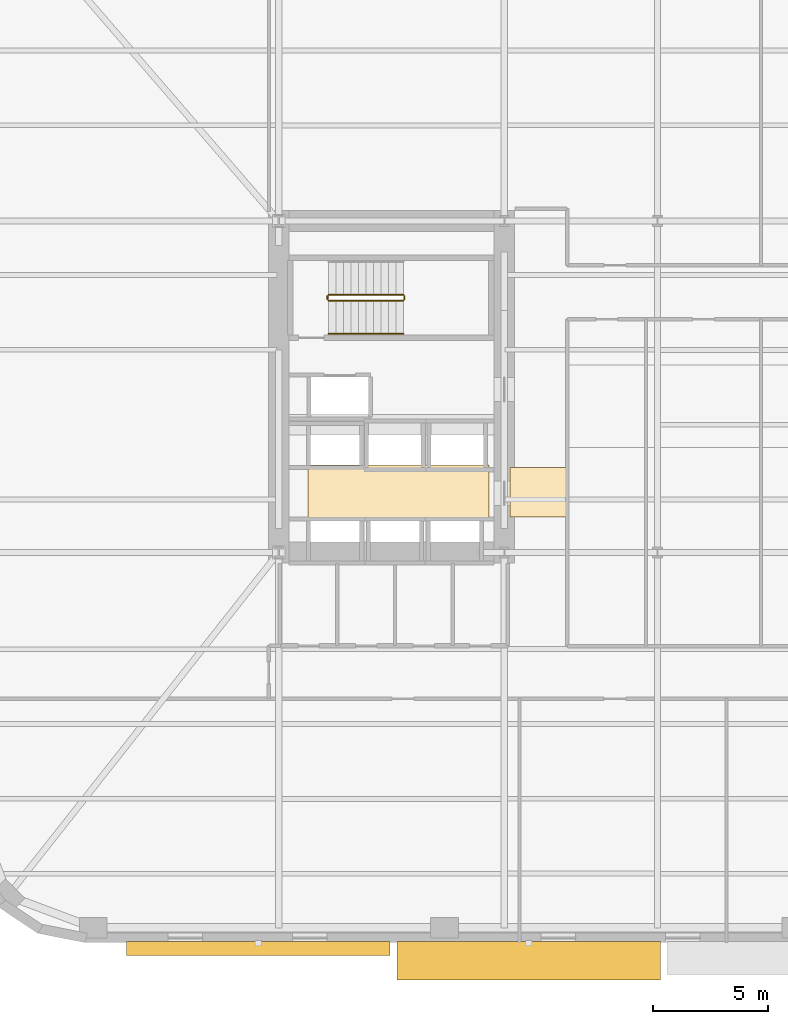
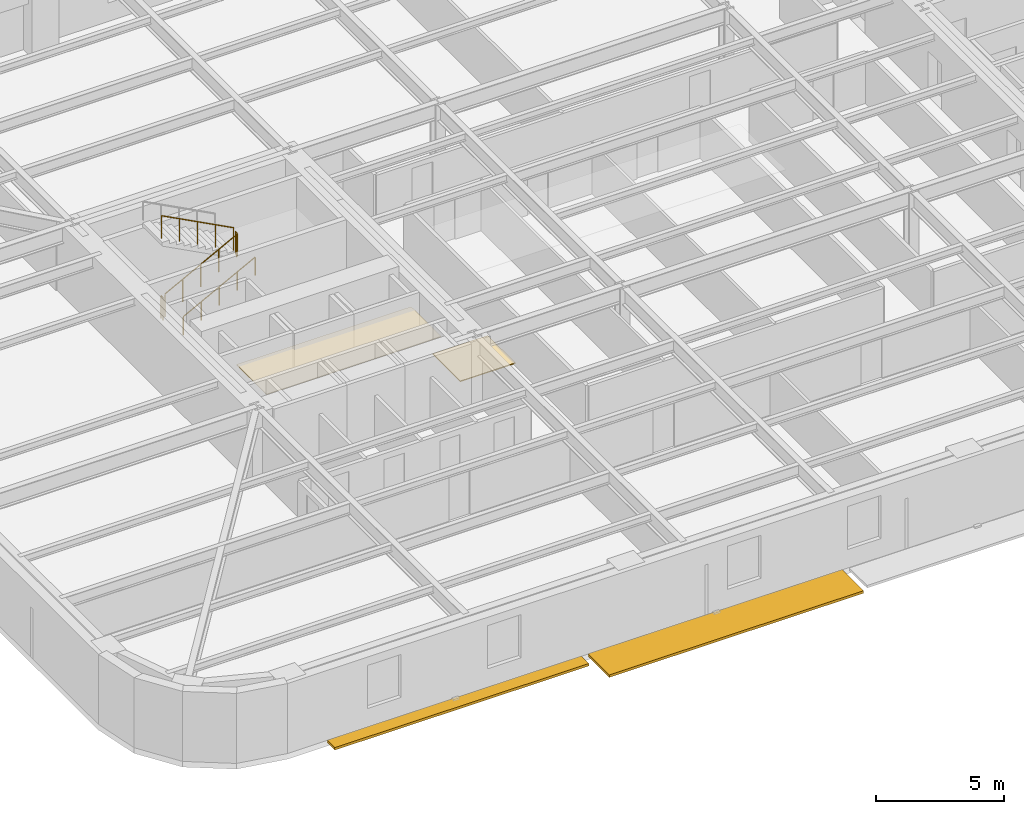
# One storey, part 9 of 14: 5 railings, 2 coverings, 2 shading devices.
"""IFC4 building model written with IfcOpenShell, lengths in metres."""

from ifc_helpers import new_model, si_unit, direction, frame, origin, origin_2d, place, context, subcontext, project, spatial, polyline, rectangle, circle, outline, extrude, material, layer, layer_set, type_object, element, save


model = new_model("IFC4")

# Units and contexts
model_context = context("Model", 3, precision=1e-05, world=origin(), true_north=direction((0.0, 1.0)))
body_context = subcontext(model_context, "Body", "Model", "MODEL_VIEW")
ifc_project = project(units=[si_unit("LENGTHUNIT", "METRE"), si_unit("AREAUNIT", "SQUARE_METRE"), si_unit("VOLUMEUNIT", "CUBIC_METRE"), si_unit("PLANEANGLEUNIT", "RADIAN"), si_unit("MASSUNIT", "GRAM", prefix="KILO")], contexts=[model_context])

# Site, building, storey
site_placement = place(None, origin())
site = spatial("IfcSite", under=ifc_project, at=site_placement, CompositionType="ELEMENT")
building_placement = place(site_placement, origin())
building = spatial("IfcBuilding", under=site, at=building_placement, Name="Kolvaren Arena Tower", CompositionType="ELEMENT")
storey_placement = place(building_placement, frame((0.0, 0.0, 90.75)))
storey = spatial("IfcBuildingStorey", under=building, at=storey_placement, Name="L20", CompositionType="ELEMENT", Elevation=90.75)

# Coverings
ifc_material_1 = material(Name="Moisture-resistant gypsum ceiling", Category="gypsum")
ifc_layer_1 = layer(ifc_material_1, 0.030029296875)
ifc_layer_set_1 = layer_set([ifc_layer_1], Name="Moisture-resistant gypsum ceiling")
covering_type_1 = type_object("IfcCoveringType", Name="CEIL-GYP-1", PredefinedType="CEILING", material=ifc_layer_set_1)
covering_1_placement = place(storey_placement, frame((0.0, 0.0, 2.52001953125)))
element("IfcCovering", 1, at=covering_1_placement, inside=storey, type_object=covering_type_1, Name="Suspended Ceiling (L20)", PredefinedType="CEILING", context=body_context, shape_type="SweptSolid", body=[
    extrude(outline(polyline([(15.820068359375, 20.89990234375), (15.820068359375, 23.239990234375), (23.679931640625, 23.239990234375), (23.679931640625, 20.89990234375), (15.820068359375, 20.89990234375)])), origin(), (0.0, 0.0, 1.0), 0.030029296875),
])
ifc_material_2 = material(Name="Raised access office floor finish", Category="aluminium")
ifc_layer_2 = layer(ifc_material_2, 0.044921875)
ifc_layer_set_2 = layer_set([ifc_layer_2], Name="Raised access office floor finish")
covering_type_2 = type_object("IfcCoveringType", Name="FLOR-RAF-1", PredefinedType="FLOORING", material=ifc_layer_set_2)
covering_2_placement = place(storey_placement, origin())
element("IfcCovering", 2, at=covering_2_placement, inside=storey, type_object=covering_type_2, Name="Floor Finish (L20)", PredefinedType="FLOORING", context=body_context, shape_type="SweptSolid", body=[
    extrude(outline(polyline([(24.60009765625, 21.0), (24.60009765625, 23.14990234375), (27.080078125, 23.14990234375), (27.080078125, 21.0), (24.60009765625, 21.0)])), origin(), (0.0, 0.0, 1.0), 0.044921875),
])

# Railings
ifc_material_3 = material(Name="Painted galvanized steel", Category="steel")
railing_type_1 = type_object("IfcRailingType", Name="GUARD-ST-110", PredefinedType="GUARDRAIL", material=ifc_material_3)
railing_1_placement = place(storey_placement, frame((16.719970703125, 30.389892578125, 0.17041015625)))
element("IfcRailing", 3, at=railing_1_placement, inside=storey, type_object=railing_type_1, Name="L20 ST-W1 stair guard 1", PredefinedType="GUARDRAIL", context=body_context, shape_type="SweptSolid", body=[
    extrude(circle(Radius=0.02392578125, at=origin_2d()), frame((0.0, 0.0, 1.076171875), z_axis=(0.884993431791, 0.0, 0.465603506952), x_axis=(0.0, 1.0, 0.0)), (0.0, 0.0, 1.0), 3.6611328125),
    extrude(circle(Radius=0.02099609375, at=origin_2d()), origin(), (0.0, 0.0, 1.0), 1.052001953125),
    extrude(circle(Radius=0.02099609375, at=origin_2d()), frame((0.81005859375, 0.0, 0.42626953125)), (0.0, 0.0, 1.0), 1.052001953125),
    extrude(circle(Radius=0.02099609375, at=origin_2d()), frame((1.6201171875, 0.0, 0.852294921875)), (0.0, 0.0, 1.0), 1.052001953125),
    extrude(circle(Radius=0.02099609375, at=origin_2d()), frame((2.429931640625, 0.0, 1.2783203125)), (0.0, 0.0, 1.0), 1.052001953125),
    extrude(circle(Radius=0.02099609375, at=origin_2d()), frame((3.239990234375, 0.0, 1.70458984375)), (0.0, 0.0, 1.0), 1.052001953125),
])
railing_2_placement = place(storey_placement, frame((20.010009765625, 30.43994140625, 1.875)))
element("IfcRailing", 4, at=railing_2_placement, inside=storey, type_object=railing_type_1, Name="L20 ST-W1 stair guard 2", PredefinedType="GUARDRAIL", context=body_context, shape_type="SweptSolid", body=[
    extrude(circle(Radius=0.02392578125, at=origin_2d()), frame((0.0, 0.0, 1.076171875), z_axis=(0.0, 1.0, 0.0), x_axis=(-1.0, 0.0, 0.0)), (0.0, 0.0, 1.0), 0.150146484375),
    extrude(circle(Radius=0.02099609375, at=origin_2d()), origin(), (0.0, 0.0, 1.0), 1.052001953125),
    extrude(circle(Radius=0.02099609375, at=origin_2d()), frame((0.0, 0.150146484375, 0.0)), (0.0, 0.0, 1.0), 1.052001953125),
])
railing_3_placement = place(storey_placement, frame((19.9599609375, 30.639892578125, 2.04541015625)))
element("IfcRailing", 5, at=railing_3_placement, inside=storey, type_object=railing_type_1, Name="L20 ST-W1 stair guard 3", PredefinedType="GUARDRAIL", context=body_context, shape_type="SweptSolid", body=[
    extrude(circle(Radius=0.02392578125, at=origin_2d()), frame((0.0, 0.0, 1.076171875), z_axis=(-0.884993431791, 0.0, 0.465603506952), x_axis=(0.0, -1.0, 0.0)), (0.0, 0.0, 1.0), 3.6611328125),
    extrude(circle(Radius=0.02099609375, at=origin_2d()), origin(), (0.0, 0.0, 1.0), 1.052001953125),
    extrude(circle(Radius=0.02099609375, at=origin_2d()), frame((-0.81005859375, 0.0, 0.42626953125)), (0.0, 0.0, 1.0), 1.052001953125),
    extrude(circle(Radius=0.02099609375, at=origin_2d()), frame((-1.6201171875, 0.0, 0.852294921875)), (0.0, 0.0, 1.0), 1.052001953125),
    extrude(circle(Radius=0.02099609375, at=origin_2d()), frame((-2.429931640625, 0.0, 1.2783203125)), (0.0, 0.0, 1.0), 1.052001953125),
    extrude(circle(Radius=0.02099609375, at=origin_2d()), frame((-3.239990234375, 0.0, 1.70458984375)), (0.0, 0.0, 1.0), 1.052001953125),
])
railing_4_placement = place(storey_placement, frame((16.669921875, 30.43994140625, 0.0)))
element("IfcRailing", 6, at=railing_4_placement, inside=storey, type_object=railing_type_1, Name="L20 ST-W1 stair guard 4", PredefinedType="GUARDRAIL", context=body_context, shape_type="SweptSolid", body=[
    extrude(circle(Radius=0.02392578125, at=origin_2d()), frame((0.0, 0.0, 1.076171875), z_axis=(0.0, 1.0, 0.0), x_axis=(-1.0, 0.0, 0.0)), (0.0, 0.0, 1.0), 0.150146484375),
    extrude(circle(Radius=0.02099609375, at=origin_2d()), origin(), (0.0, 0.0, 1.0), 1.052001953125),
    extrude(circle(Radius=0.02099609375, at=origin_2d()), frame((0.0, 0.150146484375, 0.0)), (0.0, 0.0, 1.0), 1.052001953125),
])
ifc_material_4 = material(Name="Brushed stainless steel handrail", Category="steel")
railing_type_2 = type_object("IfcRailingType", Name="HRAIL-900", PredefinedType="HANDRAIL", material=ifc_material_4)
railing_5_placement = place(storey_placement, frame((16.719970703125, 28.949951171875, 0.17041015625)))
element("IfcRailing", 7, at=railing_5_placement, inside=storey, type_object=railing_type_2, Name="L20 ST-W1 stair handrail 1", PredefinedType="HANDRAIL", context=body_context, shape_type="SweptSolid", body=[
    extrude(circle(Radius=0.02392578125, at=origin_2d()), frame((0.0, 0.0, 0.8759765625), z_axis=(0.884993431791, 0.0, 0.465603506952), x_axis=(0.0, 1.0, 0.0)), (0.0, 0.0, 1.0), 3.6611328125),
    extrude(circle(Radius=0.02099609375, at=origin_2d()), origin(), (0.0, 0.0, 1.0), 0.851806640625),
    extrude(circle(Radius=0.02099609375, at=origin_2d()), frame((0.81005859375, 0.0, 0.42626953125)), (0.0, 0.0, 1.0), 0.851806640625),
    extrude(circle(Radius=0.02099609375, at=origin_2d()), frame((1.6201171875, 0.0, 0.852294921875)), (0.0, 0.0, 1.0), 0.851806640625),
    extrude(circle(Radius=0.02099609375, at=origin_2d()), frame((2.429931640625, 0.0, 1.2783203125)), (0.0, 0.0, 1.0), 0.851806640625),
    extrude(circle(Radius=0.02099609375, at=origin_2d()), frame((3.239990234375, 0.0, 1.70458984375)), (0.0, 0.0, 1.0), 0.851806640625),
])

# Shading devices
ifc_material_5 = material(Name="Architectural precast GFRC and anodised aluminium sunshade", Category="concrete")
shading_device_type_1 = type_object("IfcShadingDeviceType", Name="SHAD-SINE-A", PredefinedType="USERDEFINED", material=ifc_material_5)
shading_device_1_placement = place(storey_placement, frame((13.669921875, 2.25, -0.14013671875), z_axis=(0.0, 0.0, 1.0), x_axis=(-1.0, 0.0, 0.0)))
element("IfcShadingDevice", 8, at=shading_device_1_placement, inside=storey, type_object=shading_device_type_1, Name="Sinusoidal Slab-Edge Sunshade Louvre (L20)", ObjectType="LOUVRE", PredefinedType="USERDEFINED", context=body_context, shape_type="SweptSolid", body=[
    extrude(rectangle(XDim=11.43994140625, YDim=0.599853515625, at=origin_2d()), origin(), (0.0, 0.0, 1.0), 0.1201171875),
])
shading_device_type_2 = type_object("IfcShadingDeviceType", Name="SHAD-SINE-B", PredefinedType="JALOUSIE", material=ifc_material_5)
shading_device_2_placement = place(storey_placement, frame((25.409912109375, 1.7158203125, -0.14013671875), z_axis=(0.0, 0.0, 1.0), x_axis=(-1.0, 0.0, 0.0)))
element("IfcShadingDevice", 9, at=shading_device_2_placement, inside=storey, type_object=shading_device_type_2, Name="Sinusoidal Slab-Edge Sunshade Louvre (L20)", PredefinedType="JALOUSIE", context=body_context, shape_type="SweptSolid", body=[
    extrude(rectangle(XDim=11.43994140625, YDim=1.668212890625, at=origin_2d()), origin(), (0.0, 0.0, 1.0), 0.1201171875),
])

save(model, "model.ifc")
